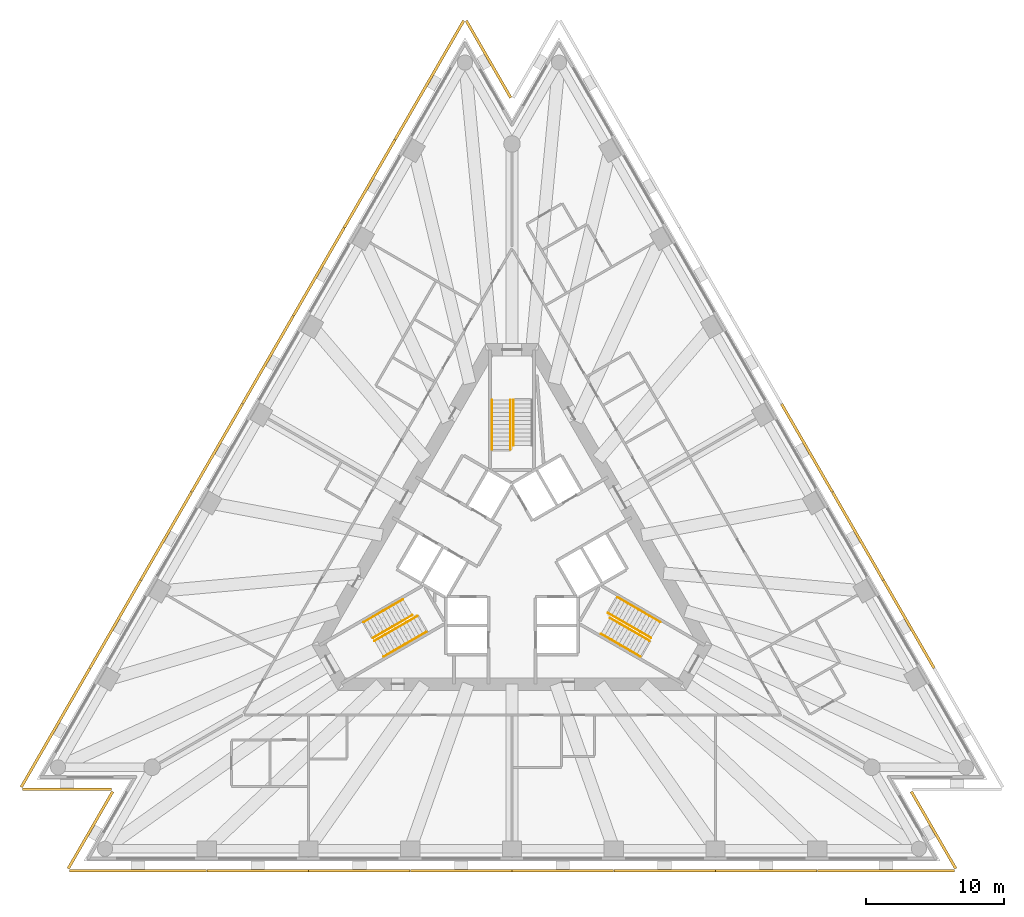
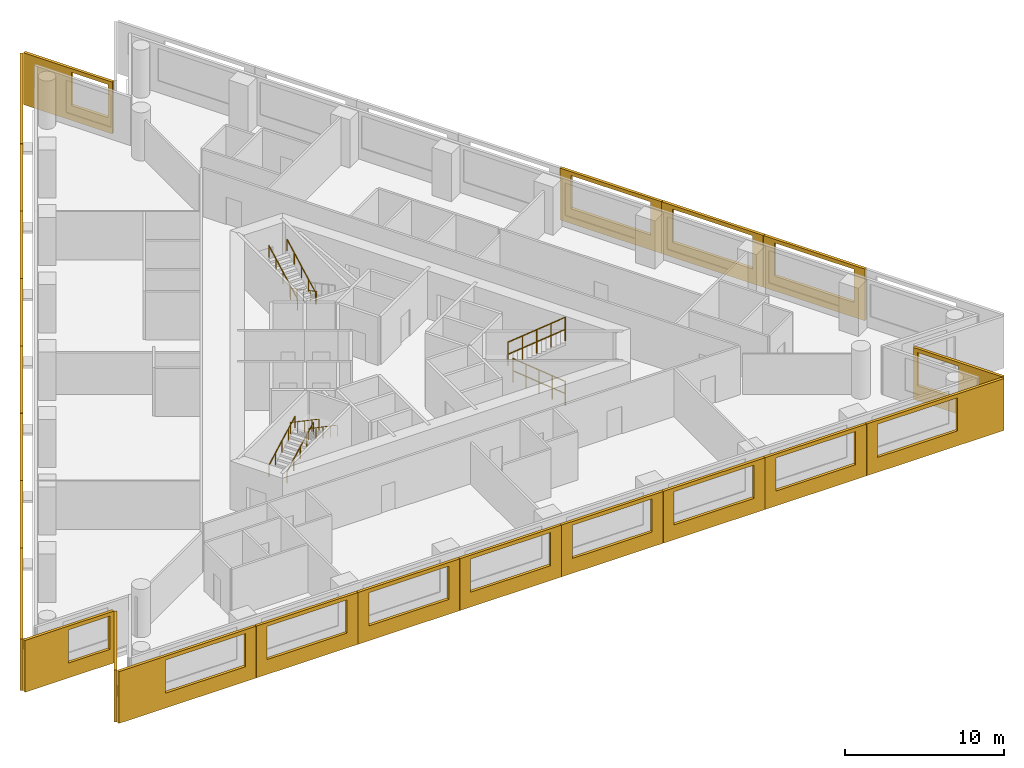
# One storey, part 10 of 11: 23 shading devices, 11 railings, 3 elements without a shape of their own.
"""IFC4 building model written with IfcOpenShell, lengths in metres."""

from ifc_helpers import new_model, si_unit, direction, frame, origin, origin_2d, place, context, subcontext, project, spatial, polyline, circle, outline, extrude, material, layer, layer_set, type_object, element, aggregate, save


model = new_model("IFC4")

# Units and contexts
model_context = context("Model", 3, precision=1e-05, world=origin(), true_north=direction((0.0, 1.0)))
body_context = subcontext(model_context, "Body", "Model", "MODEL_VIEW")
ifc_project = project(units=[si_unit("LENGTHUNIT", "METRE"), si_unit("AREAUNIT", "SQUARE_METRE"), si_unit("VOLUMEUNIT", "CUBIC_METRE"), si_unit("PLANEANGLEUNIT", "RADIAN"), si_unit("MASSUNIT", "GRAM", prefix="KILO")], contexts=[model_context])

# Site, building, storey
site_placement = place(None, origin())
site = spatial("IfcSite", under=ifc_project, at=site_placement, CompositionType="ELEMENT")
building_placement = place(site_placement, origin())
building = spatial("IfcBuilding", under=site, at=building_placement, Name="Triada Interchange Tower", CompositionType="ELEMENT")
storey_placement = place(building_placement, frame((0.0, 0.0, 67.300048828125)))
storey = spatial("IfcBuildingStorey", under=building, at=storey_placement, Name="L14", CompositionType="ELEMENT", Elevation=67.300048828125)

# Shading devices
ifc_material_1 = material(Name="Concrete C50/60 precast", Category="concrete")
ifc_layer_1 = layer(ifc_material_1, 0.02001953125, Name="Exposed aggregate face")
ifc_layer_2 = layer(ifc_material_1, 0.179931640625, Name="Precast concrete screen")
ifc_layer_set = layer_set([ifc_layer_1, ifc_layer_2], Name="Outer skin screen panel 3980")
shading_device_type = type_object("IfcShadingDeviceType", Name="Outer skin screen panel 3980", PredefinedType="SHUTTER", material=ifc_layer_set)
shading_device_1_placement = place(storey_placement, frame((-3.4208984375, 39.10400390625, -0.2900390625), z_axis=(0.0, 0.0, 1.0), x_axis=(-0.500018507784, -0.866014718047, 0.0)))
element("IfcShadingDevice", 1, at=shading_device_1_placement, inside=storey, type_object=shading_device_type, Name="Outer skin screen panel L14 01", PredefinedType="SHUTTER", context=body_context, shape_type="SweptSolid", body=[
    extrude(outline(polyline([(0.0, 0.0), (9.9697265625, 0.0), (9.9697265625, 3.97998046875), (0.0, 3.97998046875), (0.0, 0.0)]), holes=[polyline([(3.383544921875, 1.139892578125), (3.383544921875, 3.68994140625), (9.18359375, 3.68994140625), (9.18359375, 1.139892578125), (3.383544921875, 1.139892578125)])]), frame((0.0, 0.0, 0.0), z_axis=(0.0, -1.0, 0.0), x_axis=(1.0, 0.0, 0.0)), (0.0, 0.0, 1.0), 0.199951171875),
])
shading_device_2_placement = place(storey_placement, frame((-8.416015625, 30.452880859375, -0.2900390625), z_axis=(0.0, 0.0, 1.0), x_axis=(-0.500035896667, -0.866004677842, 0.0)))
element("IfcShadingDevice", 2, at=shading_device_2_placement, inside=storey, type_object=shading_device_type, Name="Outer skin screen panel L14 02", PredefinedType="SHUTTER", context=body_context, shape_type="SweptSolid", body=[
    extrude(outline(polyline([(0.0, 0.0), (7.37158203125, 0.0), (7.37158203125, 3.97998046875), (0.0, 3.97998046875), (0.0, 0.0)]), holes=[polyline([(0.785888671875, 1.139892578125), (0.785888671875, 3.68994140625), (6.585693359375, 3.68994140625), (6.585693359375, 1.139892578125), (0.785888671875, 1.139892578125)])]), frame((0.0, 0.0, 0.0), z_axis=(0.0, -1.0, 0.0), x_axis=(1.0, 0.0, 0.0)), (0.0, 0.0, 1.0), 0.199951171875),
])
shading_device_3_placement = place(storey_placement, frame((-12.112060546875, 24.052001953125, -0.2900390625), z_axis=(0.0, 0.0, 1.0), x_axis=(-0.500021555226, -0.866012958511, 0.0)))
element("IfcShadingDevice", 3, at=shading_device_3_placement, inside=storey, type_object=shading_device_type, Name="Outer skin screen panel L14 03", PredefinedType="SHUTTER", context=body_context, shape_type="SweptSolid", body=[
    extrude(outline(polyline([(0.0, 0.0), (7.371826171875, 0.0), (7.371826171875, 3.97998046875), (0.0, 3.97998046875), (0.0, 0.0)]), holes=[polyline([(0.7861328125, 1.139892578125), (0.7861328125, 3.68994140625), (6.586181640625, 3.68994140625), (6.586181640625, 1.139892578125), (0.7861328125, 1.139892578125)])]), frame((0.0, 0.0, 0.0), z_axis=(0.0, -1.0, 0.0), x_axis=(1.0, 0.0, 0.0)), (0.0, 0.0, 1.0), 0.199951171875),
])
shading_device_4_placement = place(storey_placement, frame((-15.80810546875, 17.64990234375, -0.2900390625), z_axis=(0.0, 0.0, 1.0), x_axis=(-0.500011057729, -0.866019019507, 0.0)))
element("IfcShadingDevice", 4, at=shading_device_4_placement, inside=storey, type_object=shading_device_type, Name="Outer skin screen panel L14 04", PredefinedType="SHUTTER", context=body_context, shape_type="SweptSolid", body=[
    extrude(outline(polyline([(0.0, 0.0), (7.371337890625, 0.0), (7.371337890625, 3.97998046875), (0.0, 3.97998046875), (0.0, 0.0)]), holes=[polyline([(0.785400390625, 1.139892578125), (0.785400390625, 3.68994140625), (6.58544921875, 3.68994140625), (6.58544921875, 1.139892578125), (0.785400390625, 1.139892578125)])]), frame((0.0, 0.0, 0.0), z_axis=(0.0, -1.0, 0.0), x_axis=(1.0, 0.0, 0.0)), (0.0, 0.0, 1.0), 0.199951171875),
])
shading_device_5_placement = place(storey_placement, frame((-19.50390625, 11.2490234375, -0.2900390625), z_axis=(0.0, 0.0, 1.0), x_axis=(-0.499922193019, -0.866070321006, 0.0)))
element("IfcShadingDevice", 5, at=shading_device_5_placement, inside=storey, type_object=shading_device_type, Name="Outer skin screen panel L14 05", PredefinedType="SHUTTER", context=body_context, shape_type="SweptSolid", body=[
    extrude(outline(polyline([(0.0, 0.0), (7.371337890625, 0.0), (7.371337890625, 3.97998046875), (0.0, 3.97998046875), (0.0, 0.0)]), holes=[polyline([(0.785888671875, 1.139892578125), (0.785888671875, 3.68994140625), (6.585693359375, 3.68994140625), (6.585693359375, 1.139892578125), (0.785888671875, 1.139892578125)])]), frame((0.0, 0.0, 0.0), z_axis=(0.0, -1.0, 0.0), x_axis=(1.0, 0.0, 0.0)), (0.0, 0.0, 1.0), 0.199951171875),
])
shading_device_6_placement = place(storey_placement, frame((-23.198974609375, 4.847900390625, -0.2900390625), z_axis=(0.0, 0.0, 1.0), x_axis=(-0.499964196315, -0.866046074065, 0.0)))
element("IfcShadingDevice", 6, at=shading_device_6_placement, inside=storey, type_object=shading_device_type, Name="Outer skin screen panel L14 06", PredefinedType="SHUTTER", context=body_context, shape_type="SweptSolid", body=[
    extrude(outline(polyline([(0.0, 0.0), (7.37255859375, 0.0), (7.37255859375, 3.97998046875), (0.0, 3.97998046875), (0.0, 0.0)]), holes=[polyline([(0.7861328125, 1.139892578125), (0.7861328125, 3.68994140625), (6.586181640625, 3.68994140625), (6.586181640625, 1.139892578125), (0.7861328125, 1.139892578125)])]), frame((0.0, 0.0, 0.0), z_axis=(0.0, -1.0, 0.0), x_axis=(1.0, 0.0, 0.0)), (0.0, 0.0, 1.0), 0.199951171875),
])
shading_device_7_placement = place(storey_placement, frame((-26.89501953125, -1.553955078125, -0.2900390625), z_axis=(0.0, 0.0, 1.0), x_axis=(-0.500021555226, -0.866012958511, 0.0)))
element("IfcShadingDevice", 7, at=shading_device_7_placement, inside=storey, type_object=shading_device_type, Name="Outer skin screen panel L14 07", PredefinedType="SHUTTER", context=body_context, shape_type="SweptSolid", body=[
    extrude(outline(polyline([(0.0, 0.0), (7.371826171875, 0.0), (7.371826171875, 3.97998046875), (0.0, 3.97998046875), (0.0, 0.0)]), holes=[polyline([(0.785400390625, 1.139892578125), (0.785400390625, 3.68994140625), (6.58544921875, 3.68994140625), (6.58544921875, 1.139892578125), (0.785400390625, 1.139892578125)])]), frame((0.0, 0.0, 0.0), z_axis=(0.0, -1.0, 0.0), x_axis=(1.0, 0.0, 0.0)), (0.0, 0.0, 1.0), 0.199951171875),
])
shading_device_8_placement = place(storey_placement, frame((-30.591064453125, -7.955078125, -0.2900390625), z_axis=(0.0, 0.0, 1.0), x_axis=(-0.500000141972, -0.866025321817, 0.0)))
element("IfcShadingDevice", 8, at=shading_device_8_placement, inside=storey, type_object=shading_device_type, Name="Outer skin screen panel L14 08", PredefinedType="SHUTTER", context=body_context, shape_type="SweptSolid", body=[
    extrude(outline(polyline([(0.0, 0.0), (9.9697265625, 0.0), (9.9697265625, 3.97998046875), (0.0, 3.97998046875), (0.0, 0.0)]), holes=[polyline([(0.78564453125, 1.139892578125), (0.78564453125, 3.68994140625), (6.585693359375, 3.68994140625), (6.585693359375, 1.139892578125), (0.78564453125, 1.139892578125)])]), frame((0.0, 0.0, 0.0), z_axis=(0.0, -1.0, 0.0), x_axis=(1.0, 0.0, 0.0)), (0.0, 0.0, 1.0), 0.199951171875),
])
shading_device_9_placement = place(storey_placement, frame((-35.571044921875, -16.597900390625, -0.2900390625), z_axis=(0.0, 0.0, 1.0), x_axis=(1.0, 0.0, 0.0)))
element("IfcShadingDevice", 9, at=shading_device_9_placement, inside=storey, type_object=shading_device_type, Name="Outer skin screen panel L14 09", PredefinedType="SHUTTER", context=body_context, shape_type="SweptSolid", body=[
    extrude(outline(polyline([(0.0, 0.0), (6.466064453125, 0.0), (6.466064453125, 3.97998046875), (0.0, 3.97998046875), (0.0, 0.0)]), holes=[polyline([(3.175048828125, 1.139892578125), (3.175048828125, 3.68994140625), (6.166015625, 3.68994140625), (6.166015625, 1.139892578125), (3.175048828125, 1.139892578125)])]), frame((0.0, 0.0, 0.0), z_axis=(0.0, -1.0, 0.0), x_axis=(1.0, 0.0, 0.0)), (0.0, 0.0, 1.0), 0.199951171875),
])
shading_device_10_placement = place(storey_placement, frame((-28.926025390625, -16.906982421875, -0.2900390625), z_axis=(0.0, 0.0, 1.0), x_axis=(-0.500029706002, -0.866008252337, 0.0)))
element("IfcShadingDevice", 10, at=shading_device_10_placement, inside=storey, type_object=shading_device_type, Name="Outer skin screen panel L14 10", PredefinedType="SHUTTER", context=body_context, shape_type="SweptSolid", body=[
    extrude(outline(polyline([(0.0, 0.0), (6.46533203125, 0.0), (6.46533203125, 3.97998046875), (0.0, 3.97998046875), (0.0, 0.0)]), holes=[polyline([(0.300048828125, 1.139892578125), (0.300048828125, 3.68994140625), (2.9580078125, 3.68994140625), (2.9580078125, 1.139892578125), (0.300048828125, 1.139892578125)])]), frame((0.0, 0.0, 0.0), z_axis=(0.0, -1.0, 0.0), x_axis=(1.0, 0.0, 0.0)), (0.0, 0.0, 1.0), 0.199951171875),
])
shading_device_11_placement = place(storey_placement, frame((-32.154052734375, -22.514892578125, -0.2900390625), z_axis=(0.0, 0.0, 1.0), x_axis=(1.0, 0.0, 0.0)))
element("IfcShadingDevice", 11, at=shading_device_11_placement, inside=storey, type_object=shading_device_type, Name="Outer skin screen panel L14 11", PredefinedType="SHUTTER", context=body_context, shape_type="SweptSolid", body=[
    extrude(outline(polyline([(0.0, 0.0), (9.969970703125, 0.0), (9.969970703125, 3.97998046875), (0.0, 3.97998046875), (0.0, 0.0)]), holes=[polyline([(3.384033203125, 1.139892578125), (3.384033203125, 3.68994140625), (9.18408203125, 3.68994140625), (9.18408203125, 1.139892578125), (3.384033203125, 1.139892578125)])]), frame((0.0, 0.0, 0.0), z_axis=(0.0, -1.0, 0.0), x_axis=(1.0, 0.0, 0.0)), (0.0, 0.0, 1.0), 0.199951171875),
])
shading_device_12_placement = place(storey_placement, frame((-22.1640625, -22.514892578125, -0.2900390625), z_axis=(0.0, 0.0, 1.0), x_axis=(1.0, 0.0, 0.0)))
element("IfcShadingDevice", 12, at=shading_device_12_placement, inside=storey, type_object=shading_device_type, Name="Outer skin screen panel L14 12", PredefinedType="SHUTTER", context=body_context, shape_type="SweptSolid", body=[
    extrude(outline(polyline([(0.0, 0.0), (7.37109375, 0.0), (7.37109375, 3.97998046875), (0.0, 3.97998046875), (0.0, 0.0)]), holes=[polyline([(0.785400390625, 1.139892578125), (0.785400390625, 3.68994140625), (6.58544921875, 3.68994140625), (6.58544921875, 1.139892578125), (0.785400390625, 1.139892578125)])]), frame((0.0, 0.0, 0.0), z_axis=(0.0, -1.0, 0.0), x_axis=(1.0, 0.0, 0.0)), (0.0, 0.0, 1.0), 0.199951171875),
])
shading_device_13_placement = place(storey_placement, frame((-14.77294921875, -22.514892578125, -0.2900390625), z_axis=(0.0, 0.0, 1.0), x_axis=(1.0, 0.0, 0.0)))
element("IfcShadingDevice", 13, at=shading_device_13_placement, inside=storey, type_object=shading_device_type, Name="Outer skin screen panel L14 13", PredefinedType="SHUTTER", context=body_context, shape_type="SweptSolid", body=[
    extrude(outline(polyline([(0.0, 0.0), (7.370849609375, 0.0), (7.370849609375, 3.97998046875), (0.0, 3.97998046875), (0.0, 0.0)]), holes=[polyline([(0.785888671875, 1.139892578125), (0.785888671875, 3.68994140625), (6.5859375, 3.68994140625), (6.5859375, 1.139892578125), (0.785888671875, 1.139892578125)])]), frame((0.0, 0.0, 0.0), z_axis=(0.0, -1.0, 0.0), x_axis=(1.0, 0.0, 0.0)), (0.0, 0.0, 1.0), 0.199951171875),
])
shading_device_14_placement = place(storey_placement, frame((-7.381103515625, -22.514892578125, -0.2900390625), z_axis=(0.0, 0.0, 1.0), x_axis=(1.0, 0.0, 0.0)))
element("IfcShadingDevice", 14, at=shading_device_14_placement, inside=storey, type_object=shading_device_type, Name="Outer skin screen panel L14 14", PredefinedType="SHUTTER", context=body_context, shape_type="SweptSolid", body=[
    extrude(outline(polyline([(0.0, 0.0), (7.37109375, 0.0), (7.37109375, 3.97998046875), (0.0, 3.97998046875), (0.0, 0.0)]), holes=[polyline([(0.785400390625, 1.139892578125), (0.785400390625, 3.68994140625), (6.58544921875, 3.68994140625), (6.58544921875, 1.139892578125), (0.785400390625, 1.139892578125)])]), frame((0.0, 0.0, 0.0), z_axis=(0.0, -1.0, 0.0), x_axis=(1.0, 0.0, 0.0)), (0.0, 0.0, 1.0), 0.199951171875),
])
shading_device_15_placement = place(storey_placement, frame((0.010009765625, -22.514892578125, -0.2900390625), z_axis=(0.0, 0.0, 1.0), x_axis=(1.0, 0.0, 0.0)))
element("IfcShadingDevice", 15, at=shading_device_15_placement, inside=storey, type_object=shading_device_type, Name="Outer skin screen panel L14 15", PredefinedType="SHUTTER", context=body_context, shape_type="SweptSolid", body=[
    extrude(outline(polyline([(0.0, 0.0), (7.37109375, 0.0), (7.37109375, 3.97998046875), (0.0, 3.97998046875), (0.0, 0.0)]), holes=[polyline([(0.785888671875, 1.139892578125), (0.785888671875, 3.68994140625), (6.5859375, 3.68994140625), (6.5859375, 1.139892578125), (0.785888671875, 1.139892578125)])]), frame((0.0, 0.0, 0.0), z_axis=(0.0, -1.0, 0.0), x_axis=(1.0, 0.0, 0.0)), (0.0, 0.0, 1.0), 0.199951171875),
])
shading_device_16_placement = place(storey_placement, frame((7.40087890625, -22.514892578125, -0.2900390625), z_axis=(0.0, 0.0, 1.0), x_axis=(1.0, 0.0, 0.0)))
element("IfcShadingDevice", 16, at=shading_device_16_placement, inside=storey, type_object=shading_device_type, Name="Outer skin screen panel L14 16", PredefinedType="SHUTTER", context=body_context, shape_type="SweptSolid", body=[
    extrude(outline(polyline([(0.0, 0.0), (7.3720703125, 0.0), (7.3720703125, 3.97998046875), (0.0, 3.97998046875), (0.0, 0.0)]), holes=[polyline([(0.785400390625, 1.139892578125), (0.785400390625, 3.68994140625), (6.58544921875, 3.68994140625), (6.58544921875, 1.139892578125), (0.785400390625, 1.139892578125)])]), frame((0.0, 0.0, 0.0), z_axis=(0.0, -1.0, 0.0), x_axis=(1.0, 0.0, 0.0)), (0.0, 0.0, 1.0), 0.199951171875),
])
shading_device_17_placement = place(storey_placement, frame((14.79296875, -22.514892578125, -0.2900390625), z_axis=(0.0, 0.0, 1.0), x_axis=(1.0, 0.0, 0.0)))
element("IfcShadingDevice", 17, at=shading_device_17_placement, inside=storey, type_object=shading_device_type, Name="Outer skin screen panel L14 17", PredefinedType="SHUTTER", context=body_context, shape_type="SweptSolid", body=[
    extrude(outline(polyline([(0.0, 0.0), (7.37109375, 0.0), (7.37109375, 3.97998046875), (0.0, 3.97998046875), (0.0, 0.0)]), holes=[polyline([(0.785888671875, 1.139892578125), (0.785888671875, 3.68994140625), (6.5859375, 3.68994140625), (6.5859375, 1.139892578125), (0.785888671875, 1.139892578125)])]), frame((0.0, 0.0, 0.0), z_axis=(0.0, -1.0, 0.0), x_axis=(1.0, 0.0, 0.0)), (0.0, 0.0, 1.0), 0.199951171875),
])
shading_device_18_placement = place(storey_placement, frame((22.18408203125, -22.514892578125, -0.2900390625), z_axis=(0.0, 0.0, 1.0), x_axis=(1.0, 0.0, 0.0)))
element("IfcShadingDevice", 18, at=shading_device_18_placement, inside=storey, type_object=shading_device_type, Name="Outer skin screen panel L14 18", PredefinedType="SHUTTER", context=body_context, shape_type="SweptSolid", body=[
    extrude(outline(polyline([(0.0, 0.0), (9.969970703125, 0.0), (9.969970703125, 3.97998046875), (0.0, 3.97998046875), (0.0, 0.0)]), holes=[polyline([(0.785400390625, 1.139892578125), (0.785400390625, 3.68994140625), (6.58544921875, 3.68994140625), (6.58544921875, 1.139892578125), (0.785400390625, 1.139892578125)])]), frame((0.0, 0.0, 0.0), z_axis=(0.0, -1.0, 0.0), x_axis=(1.0, 0.0, 0.0)), (0.0, 0.0, 1.0), 0.199951171875),
])
shading_device_19_placement = place(storey_placement, frame((32.158935546875, -22.506103515625, -0.2900390625), z_axis=(0.0, 0.0, 1.0), x_axis=(-0.500029706002, 0.866008252337, 0.0)))
element("IfcShadingDevice", 19, at=shading_device_19_placement, inside=storey, type_object=shading_device_type, Name="Outer skin screen panel L14 19", PredefinedType="SHUTTER", context=body_context, shape_type="SweptSolid", body=[
    extrude(outline(polyline([(0.0, 0.0), (6.46533203125, 0.0), (6.46533203125, 3.97998046875), (0.0, 3.97998046875), (0.0, 0.0)]), holes=[polyline([(3.17529296875, 1.139892578125), (3.17529296875, 3.68994140625), (6.16552734375, 3.68994140625), (6.16552734375, 1.139892578125), (3.17529296875, 1.139892578125)])]), frame((0.0, 0.0, 0.0), z_axis=(0.0, -1.0, 0.0), x_axis=(1.0, 0.0, 0.0)), (0.0, 0.0, 1.0), 0.199951171875),
])
shading_device_20_placement = place(storey_placement, frame((30.5810546875, -7.93798828125, -0.2900390625), z_axis=(0.0, 0.0, 1.0), x_axis=(-0.500021555226, 0.866012958511, 0.0)))
element("IfcShadingDevice", 20, at=shading_device_20_placement, inside=storey, type_object=shading_device_type, Name="Outer skin screen panel L14 22", PredefinedType="SHUTTER", context=body_context, shape_type="SweptSolid", body=[
    extrude(outline(polyline([(0.0, 0.0), (7.371826171875, 0.0), (7.371826171875, 3.97998046875), (0.0, 3.97998046875), (0.0, 0.0)]), holes=[polyline([(0.785400390625, 1.139892578125), (0.785400390625, 3.68994140625), (6.58544921875, 3.68994140625), (6.58544921875, 1.139892578125), (0.785400390625, 1.139892578125)])]), frame((0.0, 0.0, 0.0), z_axis=(0.0, -1.0, 0.0), x_axis=(1.0, 0.0, 0.0)), (0.0, 0.0, 1.0), 0.199951171875),
])
shading_device_21_placement = place(storey_placement, frame((26.885009765625, -1.537109375, -0.2900390625), z_axis=(0.0, 0.0, 1.0), x_axis=(-0.499964196315, 0.866046074065, 0.0)))
element("IfcShadingDevice", 21, at=shading_device_21_placement, inside=storey, type_object=shading_device_type, Name="Outer skin screen panel L14 23", PredefinedType="SHUTTER", context=body_context, shape_type="SweptSolid", body=[
    extrude(outline(polyline([(0.0, 0.0), (7.37255859375, 0.0), (7.37255859375, 3.97998046875), (0.0, 3.97998046875), (0.0, 0.0)]), holes=[polyline([(0.785888671875, 1.139892578125), (0.785888671875, 3.68994140625), (6.585693359375, 3.68994140625), (6.585693359375, 1.139892578125), (0.785888671875, 1.139892578125)])]), frame((0.0, 0.0, 0.0), z_axis=(0.0, -1.0, 0.0), x_axis=(1.0, 0.0, 0.0)), (0.0, 0.0, 1.0), 0.199951171875),
])
shading_device_22_placement = place(storey_placement, frame((23.18896484375, 4.864990234375, -0.2900390625), z_axis=(0.0, 0.0, 1.0), x_axis=(-0.499922193019, 0.866070321006, 0.0)))
element("IfcShadingDevice", 22, at=shading_device_22_placement, inside=storey, type_object=shading_device_type, Name="Outer skin screen panel L14 24", PredefinedType="SHUTTER", context=body_context, shape_type="SweptSolid", body=[
    extrude(outline(polyline([(0.0, 0.0), (7.371337890625, 0.0), (7.371337890625, 3.97998046875), (0.0, 3.97998046875), (0.0, 0.0)]), holes=[polyline([(0.7861328125, 1.139892578125), (0.7861328125, 3.68994140625), (6.586181640625, 3.68994140625), (6.586181640625, 1.139892578125), (0.7861328125, 1.139892578125)])]), frame((0.0, 0.0, 0.0), z_axis=(0.0, -1.0, 0.0), x_axis=(1.0, 0.0, 0.0)), (0.0, 0.0, 1.0), 0.199951171875),
])
shading_device_23_placement = place(storey_placement, frame((-0.177978515625, 33.5048828125, -0.2900390625), z_axis=(0.0, 0.0, 1.0), x_axis=(-0.500029706002, 0.866008252337, 0.0)))
element("IfcShadingDevice", 23, at=shading_device_23_placement, inside=storey, type_object=shading_device_type, Name="Outer skin screen panel L14 30", PredefinedType="SHUTTER", context=body_context, shape_type="SweptSolid", body=[
    extrude(outline(polyline([(0.0, 0.0), (6.46533203125, 0.0), (6.46533203125, 3.97998046875), (0.0, 3.97998046875), (0.0, 0.0)]), holes=[polyline([(0.300048828125, 1.139892578125), (0.300048828125, 3.68994140625), (2.9580078125, 3.68994140625), (2.9580078125, 1.139892578125), (0.300048828125, 1.139892578125)])]), frame((0.0, 0.0, 0.0), z_axis=(0.0, -1.0, 0.0), x_axis=(1.0, 0.0, 0.0)), (0.0, 0.0, 1.0), 0.199951171875),
])

# Stair, railings
ifc_material_2 = material(Name="Concrete C35/45", Category="concrete")
stair_type = type_object("IfcStairType", Name="HALF TURN STAIR 1400", PredefinedType="HALF_TURN_STAIR", material=ifc_material_2)
stair_1_placement = place(storey_placement, origin())
stair_1 = element("IfcStair", 24, at=stair_1_placement, inside=storey, type_object=stair_type, Name="Exit stair S12-1", PredefinedType="HALF_TURN_STAIR")
ifc_material_3 = material(Name="Stainless steel 1.4301", Category="steel")
railing_type = type_object("IfcRailingType", Name="STAIR HANDRAIL 900", PredefinedType="HANDRAIL", material=ifc_material_3)
railing_1_placement = place(storey_placement, frame((0.1201171875, 11.60009765625, 0.159912109375)))
railing_1 = element("IfcRailing", 25, at=railing_1_placement, type_object=railing_type, Name="Handrail S12-1 1C", PredefinedType="HANDRAIL", context=body_context, shape_type="SweptSolid", body=[
    extrude(circle(Radius=0.02392578125, at=origin_2d()), frame((0.0, 0.0, 0.8759765625), z_axis=(0.0, -0.882354748157, 0.47058484719), x_axis=(1.0, 0.0, 0.0)), (0.0, 0.0, 1.0), 3.739990234375),
    extrude(circle(Radius=0.02099609375, at=origin_2d()), origin(), (0.0, 0.0, 1.0), 0.851806640625),
    extrude(circle(Radius=0.02099609375, at=origin_2d()), frame((0.0, -0.824951171875, 0.43994140625)), (0.0, 0.0, 1.0), 0.851806640625),
    extrude(circle(Radius=0.02099609375, at=origin_2d()), frame((0.0, -1.64990234375, 0.8798828125)), (0.0, 0.0, 1.0), 0.851806640625),
    extrude(circle(Radius=0.02099609375, at=origin_2d()), frame((0.0, -2.47509765625, 1.320068359375)), (0.0, 0.0, 1.0), 0.851806640625),
    extrude(circle(Radius=0.02099609375, at=origin_2d()), frame((0.0, -3.300048828125, 1.760009765625)), (0.0, 0.0, 1.0), 0.851806640625),
])
railing_2_placement = place(storey_placement, frame((-1.449951171875, 8.0, 2.079833984375)))
railing_2 = element("IfcRailing", 26, at=railing_2_placement, type_object=railing_type, Name="Handrail S12-1 2W", PredefinedType="HANDRAIL", context=body_context, shape_type="SweptSolid", body=[
    extrude(circle(Radius=0.02392578125, at=origin_2d()), frame((0.0, 0.0, 0.8759765625), z_axis=(0.0, 0.882341346394, 0.470609974867), x_axis=(-1.0, 0.0, 0.0)), (0.0, 0.0, 1.0), 4.080078125),
    extrude(circle(Radius=0.02099609375, at=origin_2d()), origin(), (0.0, 0.0, 1.0), 0.851806640625),
    extrude(circle(Radius=0.02099609375, at=origin_2d()), frame((0.0, 0.89990234375, 0.47998046875)), (0.0, 0.0, 1.0), 0.851806640625),
    extrude(circle(Radius=0.02099609375, at=origin_2d()), frame((0.0, 1.800048828125, 0.9599609375)), (0.0, 0.0, 1.0), 0.851806640625),
    extrude(circle(Radius=0.02099609375, at=origin_2d()), frame((0.0, 2.7001953125, 1.440185546875)), (0.0, 0.0, 1.0), 0.851806640625),
    extrude(circle(Radius=0.02099609375, at=origin_2d()), frame((0.0, 3.60009765625, 1.920166015625)), (0.0, 0.0, 1.0), 0.851806640625),
])
railing_3_placement = place(storey_placement, frame((-0.1201171875, 8.0, 2.079833984375)))
railing_3 = element("IfcRailing", 27, at=railing_3_placement, type_object=railing_type, Name="Handrail S12-1 2C", PredefinedType="HANDRAIL", context=body_context, shape_type="SweptSolid", body=[
    extrude(circle(Radius=0.02392578125, at=origin_2d()), frame((0.0, 0.0, 0.8759765625), z_axis=(0.0, 0.882341346394, 0.470609974867), x_axis=(-1.0, 0.0, 0.0)), (0.0, 0.0, 1.0), 4.080078125),
    extrude(circle(Radius=0.02099609375, at=origin_2d()), origin(), (0.0, 0.0, 1.0), 0.851806640625),
    extrude(circle(Radius=0.02099609375, at=origin_2d()), frame((0.0, 0.89990234375, 0.47998046875)), (0.0, 0.0, 1.0), 0.851806640625),
    extrude(circle(Radius=0.02099609375, at=origin_2d()), frame((0.0, 1.800048828125, 0.9599609375)), (0.0, 0.0, 1.0), 0.851806640625),
    extrude(circle(Radius=0.02099609375, at=origin_2d()), frame((0.0, 2.7001953125, 1.440185546875)), (0.0, 0.0, 1.0), 0.851806640625),
    extrude(circle(Radius=0.02099609375, at=origin_2d()), frame((0.0, 3.60009765625, 1.920166015625)), (0.0, 0.0, 1.0), 0.851806640625),
])
aggregate(stair_1, [railing_1, railing_2, railing_3])

stair_2_placement = place(storey_placement, origin())
stair_2 = element("IfcStair", 28, at=stair_2_placement, inside=storey, type_object=stair_type, Name="Exit stair S12-2", PredefinedType="HALF_TURN_STAIR")
railing_4_placement = place(storey_placement, frame((-10.77099609375, -4.5439453125, 0.159912109375)))
railing_4 = element("IfcRailing", 29, at=railing_4_placement, type_object=railing_type, Name="Handrail S12-2 1W", PredefinedType="HANDRAIL", context=body_context, shape_type="SweptSolid", body=[
    extrude(circle(Radius=0.02392578125, at=origin_2d()), frame((0.0, 0.0, 0.8759765625), z_axis=(0.764150854273, 0.441152526326, 0.470593158077), x_axis=(-0.499974350878, 0.866040211805, 0.0)), (0.0, 0.0, 1.0), 3.739990234375),
    extrude(circle(Radius=0.02099609375, at=origin_2d()), origin(), (0.0, 0.0, 1.0), 0.851806640625),
    extrude(circle(Radius=0.02099609375, at=origin_2d()), frame((0.71435546875, 0.41259765625, 0.43994140625)), (0.0, 0.0, 1.0), 0.851806640625),
    extrude(circle(Radius=0.02099609375, at=origin_2d()), frame((1.428955078125, 0.824951171875, 0.8798828125)), (0.0, 0.0, 1.0), 0.851806640625),
    extrude(circle(Radius=0.02099609375, at=origin_2d()), frame((2.1435546875, 1.2373046875, 1.320068359375)), (0.0, 0.0, 1.0), 0.851806640625),
    extrude(circle(Radius=0.02099609375, at=origin_2d()), frame((2.85791015625, 1.64990234375, 1.760009765625)), (0.0, 0.0, 1.0), 0.851806640625),
])
railing_5_placement = place(storey_placement, frame((-10.10595703125, -5.696044921875, 0.159912109375)))
railing_5 = element("IfcRailing", 30, at=railing_5_placement, type_object=railing_type, Name="Handrail S12-2 1C", PredefinedType="HANDRAIL", context=body_context, shape_type="SweptSolid", body=[
    extrude(circle(Radius=0.02392578125, at=origin_2d()), frame((0.0, 0.0, 0.8759765625), z_axis=(0.76412884773, 0.441205098395, 0.470579605611), x_axis=(-0.50002983664, 0.866008176907, 0.0)), (0.0, 0.0, 1.0), 3.739990234375),
    extrude(circle(Radius=0.02099609375, at=origin_2d()), origin(), (0.0, 0.0, 1.0), 0.851806640625),
    extrude(circle(Radius=0.02099609375, at=origin_2d()), frame((0.71435546875, 0.41259765625, 0.43994140625)), (0.0, 0.0, 1.0), 0.851806640625),
    extrude(circle(Radius=0.02099609375, at=origin_2d()), frame((1.428955078125, 0.8251953125, 0.8798828125)), (0.0, 0.0, 1.0), 0.851806640625),
    extrude(circle(Radius=0.02099609375, at=origin_2d()), frame((2.1435546875, 1.237548828125, 1.320068359375)), (0.0, 0.0, 1.0), 0.851806640625),
    extrude(circle(Radius=0.02099609375, at=origin_2d()), frame((2.85791015625, 1.650146484375, 1.760009765625)), (0.0, 0.0, 1.0), 0.851806640625),
])
railing_6_placement = place(storey_placement, frame((-6.202880859375, -5.256103515625, 2.079833984375)))
railing_6 = element("IfcRailing", 31, at=railing_6_placement, type_object=railing_type, Name="Handrail S12-2 2W", PredefinedType="HANDRAIL", context=body_context, shape_type="SweptSolid", body=[
    extrude(circle(Radius=0.02392578125, at=origin_2d()), frame((0.0, 0.0, 0.8759765625), z_axis=(-0.764189758314, -0.441090424232, 0.470588196769), x_axis=(0.499902469156, -0.866081705922, 0.0)), (0.0, 0.0, 1.0), 4.080322265625),
    extrude(circle(Radius=0.02099609375, at=origin_2d()), origin(), (0.0, 0.0, 1.0), 0.851806640625),
    extrude(circle(Radius=0.02099609375, at=origin_2d()), frame((-0.779541015625, -0.449951171875, 0.47998046875)), (0.0, 0.0, 1.0), 0.851806640625),
    extrude(circle(Radius=0.02099609375, at=origin_2d()), frame((-1.55908203125, -0.89990234375, 0.9599609375)), (0.0, 0.0, 1.0), 0.851806640625),
    extrude(circle(Radius=0.02099609375, at=origin_2d()), frame((-2.338623046875, -1.349853515625, 1.440185546875)), (0.0, 0.0, 1.0), 0.851806640625),
    extrude(circle(Radius=0.02099609375, at=origin_2d()), frame((-3.1181640625, -1.7998046875, 1.920166015625)), (0.0, 0.0, 1.0), 0.851806640625),
])
railing_7_placement = place(storey_placement, frame((-6.867919921875, -4.10400390625, 2.079833984375)))
railing_7 = element("IfcRailing", 32, at=railing_7_placement, type_object=railing_type, Name="Handrail S12-2 2C", PredefinedType="HANDRAIL", context=body_context, shape_type="SweptSolid", body=[
    extrude(circle(Radius=0.02392578125, at=origin_2d()), frame((0.0, 0.0, 0.8759765625), z_axis=(-0.764169589359, -0.441138614339, 0.470575776723), x_axis=(0.49995333141, -0.866052346231, 0.0)), (0.0, 0.0, 1.0), 4.08056640625),
    extrude(circle(Radius=0.02099609375, at=origin_2d()), origin(), (0.0, 0.0, 1.0), 0.851806640625),
    extrude(circle(Radius=0.02099609375, at=origin_2d()), frame((-0.779541015625, -0.449951171875, 0.47998046875)), (0.0, 0.0, 1.0), 0.851806640625),
    extrude(circle(Radius=0.02099609375, at=origin_2d()), frame((-1.55908203125, -0.89990234375, 0.9599609375)), (0.0, 0.0, 1.0), 0.851806640625),
    extrude(circle(Radius=0.02099609375, at=origin_2d()), frame((-2.338623046875, -1.35009765625, 1.440185546875)), (0.0, 0.0, 1.0), 0.851806640625),
    extrude(circle(Radius=0.02099609375, at=origin_2d()), frame((-3.1181640625, -1.800048828125, 1.920166015625)), (0.0, 0.0, 1.0), 0.851806640625),
])
aggregate(stair_2, [railing_4, railing_5, railing_6, railing_7])

stair_3_placement = place(storey_placement, origin())
stair_3 = element("IfcStair", 33, at=stair_3_placement, inside=storey, type_object=stair_type, Name="Exit stair S12-3", PredefinedType="HALF_TURN_STAIR")
railing_8_placement = place(storey_placement, frame((9.321044921875, -7.055908203125, 0.159912109375)))
railing_8 = element("IfcRailing", 34, at=railing_8_placement, type_object=railing_type, Name="Handrail S12-3 1W", PredefinedType="HANDRAIL", context=body_context, shape_type="SweptSolid", body=[
    extrude(circle(Radius=0.02392578125, at=origin_2d()), frame((0.0, 0.0, 0.8759765625), z_axis=(-0.764178012919, 0.441130521168, 0.470569684388), x_axis=(-0.499942318283, -0.866058703778, 0.0)), (0.0, 0.0, 1.0), 3.740234375),
    extrude(circle(Radius=0.02099609375, at=origin_2d()), origin(), (0.0, 0.0, 1.0), 0.851806640625),
    extrude(circle(Radius=0.02099609375, at=origin_2d()), frame((-0.714599609375, 0.41259765625, 0.43994140625)), (0.0, 0.0, 1.0), 0.851806640625),
    extrude(circle(Radius=0.02099609375, at=origin_2d()), frame((-1.42919921875, 0.824951171875, 0.8798828125)), (0.0, 0.0, 1.0), 0.851806640625),
    extrude(circle(Radius=0.02099609375, at=origin_2d()), frame((-2.1435546875, 1.2373046875, 1.320068359375)), (0.0, 0.0, 1.0), 0.851806640625),
    extrude(circle(Radius=0.02099609375, at=origin_2d()), frame((-2.858154296875, 1.64990234375, 1.760009765625)), (0.0, 0.0, 1.0), 0.851806640625),
])
railing_9_placement = place(storey_placement, frame((9.986083984375, -5.904052734375, 0.159912109375)))
railing_9 = element("IfcRailing", 35, at=railing_9_placement, type_object=railing_type, Name="Handrail S12-3 1C", PredefinedType="HANDRAIL", context=body_context, shape_type="SweptSolid", body=[
    extrude(circle(Radius=0.02392578125, at=origin_2d()), frame((0.0, 0.0, 0.8759765625), z_axis=(-0.764156007789, 0.441183091881, 0.47055613395), x_axis=(-0.49999780286, -0.8660266723, 0.0)), (0.0, 0.0, 1.0), 3.740234375),
    extrude(circle(Radius=0.02099609375, at=origin_2d()), origin(), (0.0, 0.0, 1.0), 0.851806640625),
    extrude(circle(Radius=0.02099609375, at=origin_2d()), frame((-0.714599609375, 0.41259765625, 0.43994140625)), (0.0, 0.0, 1.0), 0.851806640625),
    extrude(circle(Radius=0.02099609375, at=origin_2d()), frame((-1.42919921875, 0.8251953125, 0.8798828125)), (0.0, 0.0, 1.0), 0.851806640625),
    extrude(circle(Radius=0.02099609375, at=origin_2d()), frame((-2.1435546875, 1.237548828125, 1.320068359375)), (0.0, 0.0, 1.0), 0.851806640625),
    extrude(circle(Radius=0.02099609375, at=origin_2d()), frame((-2.858154296875, 1.650146484375, 1.760009765625)), (0.0, 0.0, 1.0), 0.851806640625),
])
railing_10_placement = place(storey_placement, frame((7.653076171875, -2.743896484375, 2.079833984375)))
railing_10 = element("IfcRailing", 36, at=railing_10_placement, type_object=railing_type, Name="Handrail S12-3 2W", PredefinedType="HANDRAIL", context=body_context, shape_type="SweptSolid", body=[
    extrude(circle(Radius=0.02392578125, at=origin_2d()), frame((0.0, 0.0, 0.8759765625), z_axis=(0.76414469501, -0.441158784458, 0.470597292793), x_axis=(0.499982693035, 0.866035395735, 0.0)), (0.0, 0.0, 1.0), 4.080322265625),
    extrude(circle(Radius=0.02099609375, at=origin_2d()), origin(), (0.0, 0.0, 1.0), 0.851806640625),
    extrude(circle(Radius=0.02099609375, at=origin_2d()), frame((0.779541015625, -0.449951171875, 0.47998046875)), (0.0, 0.0, 1.0), 0.851806640625),
    extrude(circle(Radius=0.02099609375, at=origin_2d()), frame((1.55908203125, -0.89990234375, 0.9599609375)), (0.0, 0.0, 1.0), 0.851806640625),
    extrude(circle(Radius=0.02099609375, at=origin_2d()), frame((2.33837890625, -1.35009765625, 1.440185546875)), (0.0, 0.0, 1.0), 0.851806640625),
    extrude(circle(Radius=0.02099609375, at=origin_2d()), frame((3.117919921875, -1.800048828125, 1.920166015625)), (0.0, 0.0, 1.0), 0.851806640625),
])
railing_11_placement = place(storey_placement, frame((6.988037109375, -3.89599609375, 2.079833984375)))
railing_11 = element("IfcRailing", 37, at=railing_11_placement, type_object=railing_type, Name="Handrail S12-3 2C", PredefinedType="HANDRAIL", context=body_context, shape_type="SweptSolid", body=[
    extrude(circle(Radius=0.02392578125, at=origin_2d()), frame((0.0, 0.0, 0.8759765625), z_axis=(0.76414469501, -0.441158784458, 0.470597292793), x_axis=(0.499982693035, 0.866035395735, 0.0)), (0.0, 0.0, 1.0), 4.080322265625),
    extrude(circle(Radius=0.02099609375, at=origin_2d()), origin(), (0.0, 0.0, 1.0), 0.851806640625),
    extrude(circle(Radius=0.02099609375, at=origin_2d()), frame((0.779541015625, -0.449951171875, 0.47998046875)), (0.0, 0.0, 1.0), 0.851806640625),
    extrude(circle(Radius=0.02099609375, at=origin_2d()), frame((1.55908203125, -0.89990234375, 0.9599609375)), (0.0, 0.0, 1.0), 0.851806640625),
    extrude(circle(Radius=0.02099609375, at=origin_2d()), frame((2.33837890625, -1.35009765625, 1.440185546875)), (0.0, 0.0, 1.0), 0.851806640625),
    extrude(circle(Radius=0.02099609375, at=origin_2d()), frame((3.117919921875, -1.800048828125, 1.920166015625)), (0.0, 0.0, 1.0), 0.851806640625),
])
aggregate(stair_3, [railing_8, railing_9, railing_10, railing_11])

save(model, "model.ifc")
